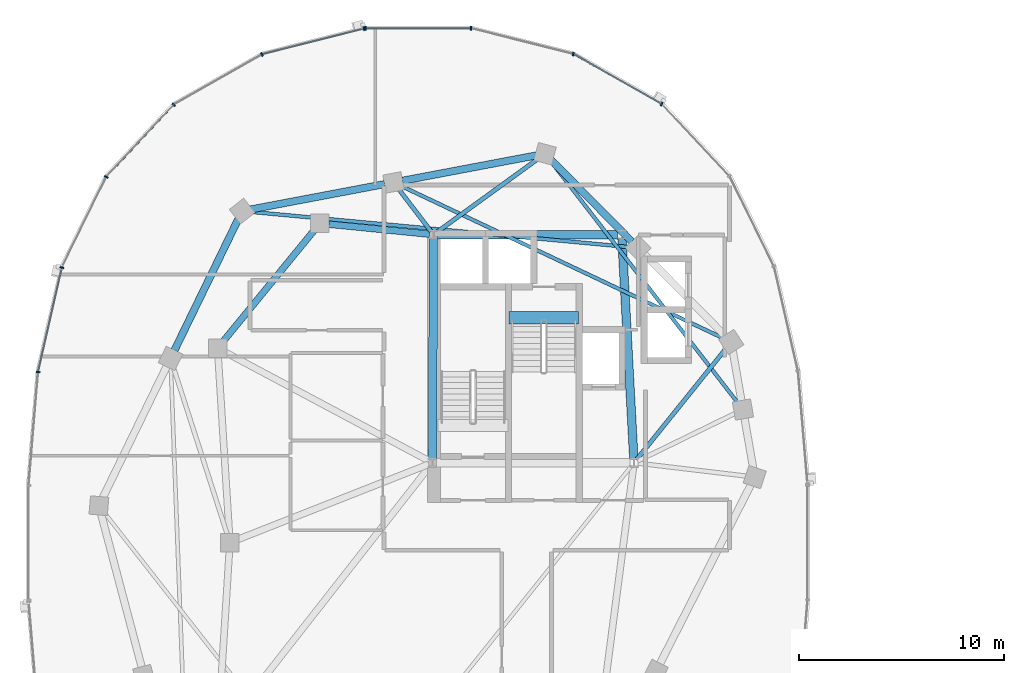
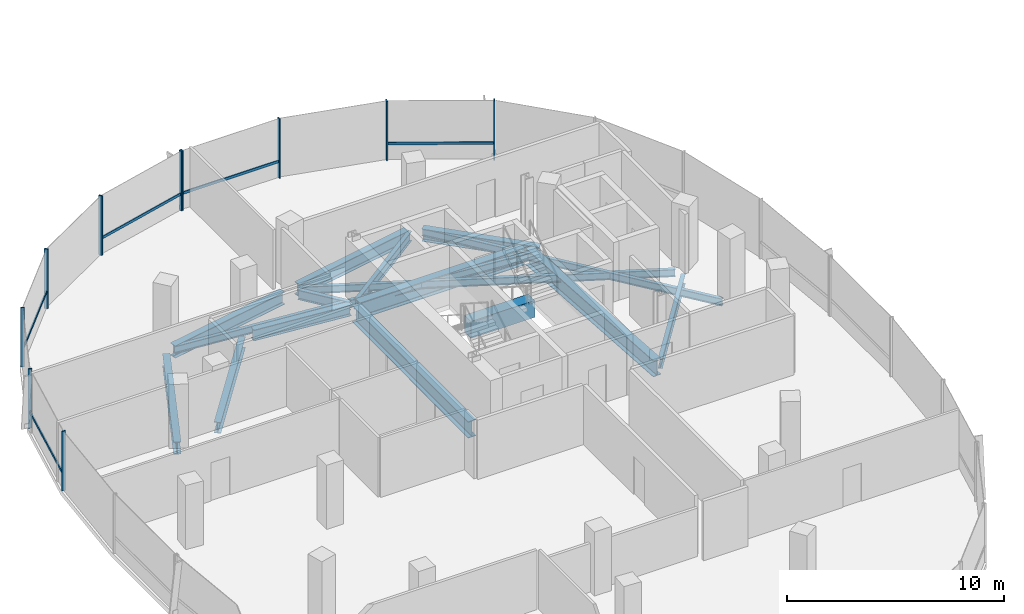
# One storey, part 6 of 25: 16 beams, 15 members, 2 elements without a shape of their own.
"""IFC4 building model written with IfcOpenShell, lengths in metres."""

from ifc_helpers import new_model, si_unit, direction, frame, origin, origin_2d, place, context, subcontext, project, spatial, rectangle, i_section, extrude, material, material_profile, profile_set, type_object, element, aggregate, save


model = new_model("IFC4")

# Units and contexts
model_context = context("Model", 3, precision=1e-05, world=origin(), true_north=direction((0.0, 1.0)))
body_context = subcontext(model_context, "Body", "Model", "MODEL_VIEW")
ifc_project = project(units=[si_unit("LENGTHUNIT", "METRE"), si_unit("AREAUNIT", "SQUARE_METRE"), si_unit("VOLUMEUNIT", "CUBIC_METRE"), si_unit("PLANEANGLEUNIT", "RADIAN"), si_unit("MASSUNIT", "GRAM", prefix="KILO"), si_unit("THERMODYNAMICTEMPERATUREUNIT", "KELVIN"), si_unit("POWERUNIT", "WATT")], contexts=[model_context])

# Site, building, storey
site_placement = place(None, origin())
site = spatial("IfcSite", under=ifc_project, at=site_placement, CompositionType="ELEMENT")
building_placement = place(site_placement, origin())
building = spatial("IfcBuilding", under=site, at=building_placement, Name="Cundina Bronze Exchange", CompositionType="ELEMENT")
storey_placement = place(building_placement, frame((0.0, 0.0, 217.0)))
storey = spatial("IfcBuildingStorey", under=building, at=storey_placement, Name="L57", CompositionType="ELEMENT", Elevation=217.0)

# Beams
ifc_material_1 = material(Name="Concrete C60/75", Category="concrete")
ifc_material_profile_1 = material_profile(ifc_material_1, rectangle(XDim=0.60009765625, YDim=0.949951171875, at=origin_2d()), Name="RC600X950", Category="concrete")
ifc_profile_set_1 = profile_set([ifc_material_profile_1], Name="Concrete C60/75")
beam_type_1 = type_object("IfcBeamType", Name="BM-COUP-RC950", PredefinedType="LINTEL", material=ifc_profile_set_1)
beam_1_placement = place(storey_placement, frame((-27.56005859375, 10.97998046875, -0.47509765625), z_axis=(1.0, 0.0, 0.0), x_axis=(0.0, 1.0, 0.0)))
element("IfcBeam", 1, at=beam_1_placement, inside=storey, type_object=beam_type_1, Name="L57 Stair W2 Landing Header Beam", PredefinedType="LINTEL", context=body_context, shape_type="SweptSolid", body=[
    extrude(rectangle(XDim=0.60009765625, YDim=0.949951171875, at=origin_2d()), origin(), (0.0, 0.0, 1.0), 3.400146484375),
])
ifc_material_2 = material(Name="Steel ASTM A992 Grade 50", Category="steel")
ifc_material_profile_2 = material_profile(ifc_material_2, i_section(OverallWidth=0.2119140625, OverallDepth=0.5439453125, WebThickness=0.01318359375, FlangeThickness=0.021240234375, FilletRadius=0.013916015625, at=origin_2d()), Name="W21X83", Category="steel")
ifc_profile_set_2 = profile_set([ifc_material_profile_2], Name="Steel ASTM A992 Grade 50")
beam_type_2 = type_object("IfcBeamType", Name="BM-FLR-W21A", PredefinedType="BEAM", material=ifc_profile_set_2)
beam_2_placement = place(storey_placement, frame((-21.3271484375, 4.052734375, -0.531982421875), z_axis=(0.627128630072, 0.778915708755, 0.0), x_axis=(-0.778915708755, 0.627128630072, 0.0)))
element("IfcBeam", 2, at=beam_2_placement, inside=storey, type_object=beam_type_2, Name="L57 Leg W Radial Floor Beam 02", PredefinedType="BEAM", context=body_context, shape_type="SweptSolid", body=[
    extrude(i_section(OverallWidth=0.2119140625, OverallDepth=0.5439453125, WebThickness=0.01318359375, FlangeThickness=0.021240234375, FilletRadius=0.013916015625, at=origin_2d()), origin(), (0.0, 0.0, 1.0), 6.9404296875),
])
beam_3_placement = place(storey_placement, frame((-31.09130859375, 15.1650390625, -0.531982421875), z_axis=(0.809709858543, 0.586830422677, 0.0), x_axis=(-0.586830422677, 0.809709858543, 0.0)))
element("IfcBeam", 3, at=beam_3_placement, inside=storey, type_object=beam_type_2, Name="L57 Leg W Radial Floor Beam 04", PredefinedType="BEAM", context=body_context, shape_type="SweptSolid", body=[
    extrude(i_section(OverallWidth=0.2119140625, OverallDepth=0.5439453125, WebThickness=0.01318359375, FlangeThickness=0.021240234375, FilletRadius=0.013916015625, at=origin_2d()), origin(), (0.0, 0.0, 1.0), 6.096923828125),
])
beam_4_placement = place(storey_placement, frame((-31.369140625, 15.205810546875, -0.531982421875), z_axis=(-0.60740437517, 0.794392802727, 0.0), x_axis=(-0.794392802727, -0.60740437517, 0.0)))
element("IfcBeam", 4, at=beam_4_placement, inside=storey, type_object=beam_type_2, Name="L57 Leg W Radial Floor Beam 05", PredefinedType="BEAM", context=body_context, shape_type="SweptSolid", body=[
    extrude(i_section(OverallWidth=0.2119140625, OverallDepth=0.5439453125, WebThickness=0.01318359375, FlangeThickness=0.021240234375, FilletRadius=0.013916015625, at=origin_2d()), origin(), (0.0, 0.0, 1.0), 2.575927734375),
])
ifc_material_profile_3 = material_profile(ifc_material_2, i_section(OverallWidth=0.178955078125, OverallDepth=0.409912109375, WebThickness=0.0087890625, FlangeThickness=0.014404296875, FilletRadius=0.010986328125, at=origin_2d()), Name="W16X45", Category="steel")
ifc_profile_set_3 = profile_set([ifc_material_profile_3], Name="Steel ASTM A992 Grade 50")
beam_type_3 = type_object("IfcBeamType", Name="BM-JST-W16", PredefinedType="JOIST", material=ifc_profile_set_3)
beam_5_placement = place(storey_placement, frame((-16.39306640625, 6.846435546875, -0.465087890625), z_axis=(-0.612085793291, 0.790791364174, 0.0), x_axis=(-0.790791364174, -0.612085793291, 0.0)))
element("IfcBeam", 5, at=beam_5_placement, inside=storey, type_object=beam_type_3, Name="L57 Leg W Lobe Floor Joist 01-04", PredefinedType="JOIST", context=body_context, shape_type="SweptSolid", body=[
    extrude(i_section(OverallWidth=0.178955078125, OverallDepth=0.409912109375, WebThickness=0.0087890625, FlangeThickness=0.014404296875, FilletRadius=0.010986328125, at=origin_2d()), origin(), (0.0, 0.0, 1.0), 14.9306640625),
])
beam_6_placement = place(storey_placement, frame((-17.095947265625, 9.9873046875, -0.465087890625), z_axis=(-0.904073747204, 0.427376484632, 0.0), x_axis=(-0.427376484632, -0.904073747204, 0.0)))
element("IfcBeam", 6, at=beam_6_placement, inside=storey, type_object=beam_type_3, Name="L57 Leg W Lobe Floor Joist 02-05", PredefinedType="JOIST", context=body_context, shape_type="SweptSolid", body=[
    extrude(i_section(OverallWidth=0.178955078125, OverallDepth=0.409912109375, WebThickness=0.0087890625, FlangeThickness=0.014404296875, FilletRadius=0.010986328125, at=origin_2d()), origin(), (0.0, 0.0, 1.0), 17.374755859375),
])
beam_7_placement = place(storey_placement, frame((-21.68603515625, 14.440673828125, -0.465087890625), z_axis=(-0.9957017803, 0.092617302415, 0.0), x_axis=(-0.092617302415, -0.9957017803, 0.0)))
element("IfcBeam", 7, at=beam_7_placement, inside=storey, type_object=beam_type_3, Name="L57 Leg W Lobe Floor Joist 03-06", PredefinedType="JOIST", context=body_context, shape_type="SweptSolid", body=[
    extrude(i_section(OverallWidth=0.178955078125, OverallDepth=0.409912109375, WebThickness=0.0087890625, FlangeThickness=0.014404296875, FilletRadius=0.010986328125, at=origin_2d()), origin(), (0.0, 0.0, 1.0), 18.5576171875),
])
ifc_material_profile_4 = material_profile(ifc_material_2, i_section(OverallWidth=0.324951171875, OverallDepth=0.615966796875, WebThickness=0.013916015625, FlangeThickness=0.021484375, FilletRadius=0.01611328125, at=origin_2d()), Name="W24X117", Category="steel")
ifc_profile_set_4 = profile_set([ifc_material_profile_4], Name="Steel ASTM A992 Grade 50")
beam_type_4 = type_object("IfcBeamType", Name="BM-RING-W24", PredefinedType="USERDEFINED", material=ifc_profile_set_4)
beam_8_placement = place(storey_placement, frame((-31.445068359375, 15.0693359375, -0.568115234375), z_axis=(-0.995123854478, 0.09863323096, 0.0), x_axis=(-0.09863323096, -0.995123854478, 0.0)))
element("IfcBeam", 8, at=beam_8_placement, inside=storey, type_object=beam_type_4, Name="L57 W Inner Structural Ring Girder 01", ObjectType="GIRDER", PredefinedType="USERDEFINED", context=body_context, shape_type="SweptSolid", body=[
    extrude(i_section(OverallWidth=0.324951171875, OverallDepth=0.615966796875, WebThickness=0.013916015625, FlangeThickness=0.021484375, FilletRadius=0.01611328125, at=origin_2d()), origin(), (0.0, 0.0, 1.0), 4.943115234375),
])
beam_9_placement = place(storey_placement, frame((-37.07763671875, 15.26123046875, -0.568115234375), z_axis=(-0.633912590175, -0.77340469873, 0.0), x_axis=(0.77340469873, -0.633912590175, 0.0)))
element("IfcBeam", 9, at=beam_9_placement, inside=storey, type_object=beam_type_4, Name="L57 W Inner Structural Ring Girder 02", ObjectType="GIRDER", PredefinedType="USERDEFINED", context=body_context, shape_type="SweptSolid", body=[
    extrude(i_section(OverallWidth=0.324951171875, OverallDepth=0.615966796875, WebThickness=0.013916015625, FlangeThickness=0.021484375, FilletRadius=0.01611328125, at=origin_2d()), origin(), (0.0, 0.0, 1.0), 7.01123046875),
])
ifc_material_profile_5 = material_profile(ifc_material_2, i_section(OverallWidth=0.35498046875, OverallDepth=0.695068359375, WebThickness=0.015380859375, FlangeThickness=0.02490234375, FilletRadius=0.01806640625, at=origin_2d()), Name="W27X146", Category="steel")
ifc_profile_set_5 = profile_set([ifc_material_profile_5], Name="Steel ASTM A992 Grade 50")
beam_type_5 = type_object("IfcBeamType", Name="BM-RING-W27", PredefinedType="USERDEFINED", material=ifc_profile_set_5)
beam_10_placement = place(storey_placement, frame((-21.55810546875, 14.71142578125, -0.607421875), z_axis=(-0.703211928763, 0.710980297368, 0.0), x_axis=(-0.710980297368, -0.703211928763, 0.0)))
element("IfcBeam", 10, at=beam_10_placement, inside=storey, type_object=beam_type_5, Name="L57 W Perimeter Ring Girder 03", ObjectType="GIRDER", PredefinedType="USERDEFINED", context=body_context, shape_type="SweptSolid", body=[
    extrude(i_section(OverallWidth=0.35498046875, OverallDepth=0.695068359375, WebThickness=0.015380859375, FlangeThickness=0.02490234375, FilletRadius=0.01806640625, at=origin_2d()), origin(), (0.0, 0.0, 1.0), 5.593994140625),
])
beam_11_placement = place(storey_placement, frame((-26.23046875, 18.918701171875, -0.607421875), z_axis=(-0.982565174657, -0.185918470175, 0.0), x_axis=(0.185918470175, -0.982565174657, 0.0)))
element("IfcBeam", 11, at=beam_11_placement, inside=storey, type_object=beam_type_5, Name="L57 W Perimeter Ring Girder 04", ObjectType="GIRDER", PredefinedType="USERDEFINED", context=body_context, shape_type="SweptSolid", body=[
    extrude(i_section(OverallWidth=0.35498046875, OverallDepth=0.695068359375, WebThickness=0.015380859375, FlangeThickness=0.02490234375, FilletRadius=0.01806640625, at=origin_2d()), origin(), (0.0, 0.0, 1.0), 6.655029296875),
])
beam_12_placement = place(storey_placement, frame((-33.63037109375, 17.5185546875, -0.607421875), z_axis=(-0.982573143022, -0.185876353022, 0.0), x_axis=(0.185876353022, -0.982573143022, 0.0)))
element("IfcBeam", 12, at=beam_12_placement, inside=storey, type_object=beam_type_5, Name="L57 W Perimeter Ring Girder 05", ObjectType="GIRDER", PredefinedType="USERDEFINED", context=body_context, shape_type="SweptSolid", body=[
    extrude(i_section(OverallWidth=0.35498046875, OverallDepth=0.695068359375, WebThickness=0.015380859375, FlangeThickness=0.02490234375, FilletRadius=0.01806640625, at=origin_2d()), origin(), (0.0, 0.0, 1.0), 6.6552734375),
])
beam_13_placement = place(storey_placement, frame((-40.79150390625, 15.80615234375, -0.607421875), z_axis=(-0.437173087764, -0.89937739094, 0.0), x_axis=(0.89937739094, -0.437173087764, 0.0)))
element("IfcBeam", 13, at=beam_13_placement, inside=storey, type_object=beam_type_5, Name="L57 W Perimeter Ring Girder 06", ObjectType="GIRDER", PredefinedType="USERDEFINED", context=body_context, shape_type="SweptSolid", body=[
    extrude(i_section(OverallWidth=0.35498046875, OverallDepth=0.695068359375, WebThickness=0.015380859375, FlangeThickness=0.02490234375, FilletRadius=0.01806640625, at=origin_2d()), origin(), (0.0, 0.0, 1.0), 7.1298828125),
])
ifc_material_profile_6 = material_profile(ifc_material_2, i_section(OverallWidth=0.41796875, OverallDepth=0.927001953125, WebThickness=0.019287109375, FlangeThickness=0.031982421875, FilletRadius=0.02392578125, at=origin_2d()), Name="W36X231", Category="steel")
ifc_profile_set_6 = profile_set([ifc_material_profile_6], Name="Steel ASTM A992 Grade 50")
beam_type_6 = type_object("IfcBeamType", Name="BM-WRN-W36B", PredefinedType="USERDEFINED", material=ifc_profile_set_6)
beam_14_placement = place(storey_placement, frame((-21.46044921875, 4.095703125, -0.723388671875), z_axis=(-0.053749317644, 0.998554460634, 0.0), x_axis=(-0.998554460634, -0.053749317644, 0.0)))
element("IfcBeam", 14, at=beam_14_placement, inside=storey, type_object=beam_type_6, Name="L57 W Core Perimeter Tie Girder 2", ObjectType="GIRDER", PredefinedType="USERDEFINED", context=body_context, shape_type="SweptSolid", body=[
    extrude(i_section(OverallWidth=0.41796875, OverallDepth=0.927001953125, WebThickness=0.019287109375, FlangeThickness=0.031982421875, FilletRadius=0.02392578125, at=origin_2d()), origin(), (0.0, 0.0, 1.0), 10.774169921875),
])
beam_15_placement = place(storey_placement, frame((-22.24609375, 15.050048828125, -0.723388671875), z_axis=(-1.0, 0.0, 0.0), x_axis=(0.0, -1.0, 0.0)))
element("IfcBeam", 15, at=beam_15_placement, inside=storey, type_object=beam_type_6, Name="L57 W Core Perimeter Tie Girder 3", ObjectType="GIRDER", PredefinedType="USERDEFINED", context=body_context, shape_type="SweptSolid", body=[
    extrude(i_section(OverallWidth=0.41796875, OverallDepth=0.927001953125, WebThickness=0.019287109375, FlangeThickness=0.031982421875, FilletRadius=0.02392578125, at=origin_2d()), origin(), (0.0, 0.0, 1.0), 8.807861328125),
])
beam_16_placement = place(storey_placement, frame((-31.2509765625, 14.85400390625, -0.723388671875), z_axis=(-0.004470623654, -0.999990006712, 0.0), x_axis=(0.999990006712, -0.004470623654, 0.0)))
element("IfcBeam", 16, at=beam_16_placement, inside=storey, type_object=beam_type_6, Name="L57 W Core Perimeter Tie Girder 4", ObjectType="GIRDER", PredefinedType="USERDEFINED", context=body_context, shape_type="SweptSolid", body=[
    extrude(i_section(OverallWidth=0.41796875, OverallDepth=0.927001953125, WebThickness=0.019287109375, FlangeThickness=0.031982421875, FilletRadius=0.02392578125, at=origin_2d()), origin(), (0.0, 0.0, 1.0), 10.758056640625),
])

# Curtain wall, members
ifc_material_3 = material(Name="Anodised Bronze Aluminium 6063-T6", Category="aluminium")
curtain_wall_type = type_object("IfcCurtainWallType", Name="CWS-UPP-OFF", PredefinedType="NOTDEFINED", material=ifc_material_3)
curtain_wall_1_placement = place(storey_placement, origin())
curtain_wall_1 = element("IfcCurtainWall", 17, at=curtain_wall_1_placement, inside=storey, type_object=curtain_wall_type, Name="L57 CW-05 Curtain Wall Run CWR-L57-W1", PredefinedType="NOTDEFINED")
ifc_material_profile_7 = material_profile(ifc_material_3, rectangle(XDim=0.070068359375, YDim=0.18994140625, at=origin_2d()), Name="AL70X190", Category="aluminium")
ifc_profile_set_7 = profile_set([ifc_material_profile_7], Name="Anodised Bronze Aluminium 6063-T6")
member_type_1 = type_object("IfcMemberType", Name="CWM-MUL-190", PredefinedType="MULLION", material=ifc_profile_set_7)
member_1_placement = place(storey_placement, frame((-20.100341796875, 21.43115234375, 0.0), z_axis=(0.0, 0.0, 1.0), x_axis=(-0.86958112538, 0.493790103568, 0.0)))
member_1 = element("IfcMember", 18, at=member_1_placement, type_object=member_type_1, Name="CW-05 Mullion 5", PredefinedType="MULLION", context=body_context, shape_type="SweptSolid", body=[
    extrude(rectangle(XDim=0.070068359375, YDim=0.18994140625, at=origin_2d()), origin(), (0.0, 0.0, 1.0), 3.340087890625),
])
member_2_placement = place(storey_placement, frame((-24.422607421875, 23.87548828125, 0.0), z_axis=(0.0, 0.0, 1.0), x_axis=(-0.969744325821, 0.244122802168, 0.0)))
member_2 = element("IfcMember", 19, at=member_2_placement, type_object=member_type_1, Name="CW-05 Mullion 6", PredefinedType="MULLION", context=body_context, shape_type="SweptSolid", body=[
    extrude(rectangle(XDim=0.070068359375, YDim=0.18994140625, at=origin_2d()), origin(), (0.0, 0.0, 1.0), 3.340087890625),
])
member_3_placement = place(storey_placement, frame((-29.419921875, 25.125, 0.0), z_axis=(0.0, 0.0, 1.0), x_axis=(-1.0, 0.0, 0.0)))
member_3 = element("IfcMember", 20, at=member_3_placement, type_object=member_type_1, Name="CW-05 Mullion 7", PredefinedType="MULLION", context=body_context, shape_type="SweptSolid", body=[
    extrude(rectangle(XDim=0.070068359375, YDim=0.18994140625, at=origin_2d()), origin(), (0.0, 0.0, 1.0), 3.340087890625),
])
member_4_placement = place(storey_placement, frame((-34.580078125, 25.125, 0.0), z_axis=(0.0, 0.0, 1.0), x_axis=(-1.0, 0.0, 0.0)))
member_4 = element("IfcMember", 21, at=member_4_placement, type_object=member_type_1, Name="CW-05 End Mullion", PredefinedType="MULLION", context=body_context, shape_type="SweptSolid", body=[
    extrude(rectangle(XDim=0.070068359375, YDim=0.18994140625, at=origin_2d()), origin(), (0.0, 0.0, 1.0), 3.340087890625),
])

curtain_wall_2_placement = place(storey_placement, origin())
curtain_wall_2 = element("IfcCurtainWall", 22, at=curtain_wall_2_placement, inside=storey, type_object=curtain_wall_type, Name="L57 CW-05 Curtain Wall Run CWR-L57-W2", PredefinedType="NOTDEFINED")
member_5_placement = place(storey_placement, frame((-34.6484375, 25.116455078125, 0.0), z_axis=(0.0, 0.0, 1.0), x_axis=(-0.969744325821, -0.244122802168, 0.0)))
member_5 = element("IfcMember", 23, at=member_5_placement, type_object=member_type_1, Name="CW-05 Mullion 1", PredefinedType="MULLION", context=body_context, shape_type="SweptSolid", body=[
    extrude(rectangle(XDim=0.070068359375, YDim=0.18994140625, at=origin_2d()), origin(), (0.0, 0.0, 1.0), 3.340087890625),
])
member_6_placement = place(storey_placement, frame((-39.638916015625, 23.850830078125, 0.0), z_axis=(0.0, 0.0, 1.0), x_axis=(-0.86958112538, -0.493790103568, 0.0)))
member_6 = element("IfcMember", 24, at=member_6_placement, type_object=member_type_1, Name="CW-05 Mullion 2", PredefinedType="MULLION", context=body_context, shape_type="SweptSolid", body=[
    extrude(rectangle(XDim=0.070068359375, YDim=0.18994140625, at=origin_2d()), origin(), (0.0, 0.0, 1.0), 3.340087890625),
])
member_7_placement = place(storey_placement, frame((-43.94873046875, 21.392578125, 0.0), z_axis=(0.0, 0.0, 1.0), x_axis=(-0.684292606175, -0.729207535023, 0.0)))
member_7 = element("IfcMember", 25, at=member_7_placement, type_object=member_type_1, Name="CW-05 Mullion 3", PredefinedType="MULLION", context=body_context, shape_type="SweptSolid", body=[
    extrude(rectangle(XDim=0.070068359375, YDim=0.18994140625, at=origin_2d()), origin(), (0.0, 0.0, 1.0), 3.340087890625),
])
member_8_placement = place(storey_placement, frame((-47.245361328125, 17.866455078125, 0.0), z_axis=(0.0, 0.0, 1.0), x_axis=(-0.440566004113, -0.897720221461, 0.0)))
member_8 = element("IfcMember", 26, at=member_8_placement, type_object=member_type_1, Name="CW-05 Mullion 4", PredefinedType="MULLION", context=body_context, shape_type="SweptSolid", body=[
    extrude(rectangle(XDim=0.070068359375, YDim=0.18994140625, at=origin_2d()), origin(), (0.0, 0.0, 1.0), 3.340087890625),
])
member_9_placement = place(storey_placement, frame((-49.40771484375, 13.440673828125, 0.0), z_axis=(0.0, 0.0, 1.0), x_axis=(-0.223250116011, -0.974761194191, 0.0)))
member_9 = element("IfcMember", 27, at=member_9_placement, type_object=member_type_1, Name="CW-05 Mullion 5", PredefinedType="MULLION", context=body_context, shape_type="SweptSolid", body=[
    extrude(rectangle(XDim=0.070068359375, YDim=0.18994140625, at=origin_2d()), origin(), (0.0, 0.0, 1.0), 3.340087890625),
])
member_10_placement = place(storey_placement, frame((-50.572509765625, 8.33056640625, 0.0), z_axis=(0.0, 0.0, 1.0), x_axis=(-0.083677843332, -0.99649285925, 0.0)))
member_10 = element("IfcMember", 28, at=member_10_placement, type_object=member_type_1, Name="CW-05 Mullion 6", PredefinedType="MULLION", context=body_context, shape_type="SweptSolid", body=[
    extrude(rectangle(XDim=0.070068359375, YDim=0.18994140625, at=origin_2d()), origin(), (0.0, 0.0, 1.0), 3.340087890625),
])

# Member
ifc_material_profile_8 = material_profile(ifc_material_3, rectangle(XDim=0.06494140625, YDim=0.14990234375, at=origin_2d()), Name="AL65X150", Category="aluminium")
ifc_profile_set_8 = profile_set([ifc_material_profile_8], Name="Anodised Bronze Aluminium 6063-T6")
member_type_2 = type_object("IfcMemberType", Name="CWM-TRN-150", PredefinedType="USERDEFINED", material=ifc_profile_set_8)
member_11_placement = place(storey_placement, frame((-20.1337890625, 21.4501953125, 0.919921875), z_axis=(-0.869573748083, 0.493803095013, 0.0), x_axis=(-0.493803095013, -0.869573748083, 0.0)))
member_11 = element("IfcMember", 29, at=member_11_placement, type_object=member_type_2, Name="CW-05 Spandrel Transom 5", ObjectType="TRANSOM", PredefinedType="USERDEFINED", context=body_context, shape_type="SweptSolid", body=[
    extrude(rectangle(XDim=0.06494140625, YDim=0.14990234375, at=origin_2d()), origin(), (0.0, 0.0, 1.0), 4.900146484375),
])

member_12_placement = place(storey_placement, frame((-29.45849609375, 25.125, 0.919921875), z_axis=(-1.0, 0.0, 0.0), x_axis=(0.0, -1.0, 0.0)))
member_12 = element("IfcMember", 30, at=member_12_placement, type_object=member_type_2, Name="CW-05 Spandrel Transom 7", ObjectType="TRANSOM", PredefinedType="USERDEFINED", context=body_context, shape_type="SweptSolid", body=[
    extrude(rectangle(XDim=0.06494140625, YDim=0.14990234375, at=origin_2d()), origin(), (0.0, 0.0, 1.0), 5.0830078125),
])

aggregate(curtain_wall_1, [member_1, member_11, member_2, member_3, member_4, member_12])

member_13_placement = place(storey_placement, frame((-34.685791015625, 25.107177734375, 0.919921875), z_axis=(-0.969725738797, -0.244196624699, 0.0), x_axis=(0.244196624699, -0.969725738797, 0.0)))
member_13 = element("IfcMember", 31, at=member_13_placement, type_object=member_type_2, Name="CW-05 Spandrel Transom 1", ObjectType="TRANSOM", PredefinedType="USERDEFINED", context=body_context, shape_type="SweptSolid", body=[
    extrude(rectangle(XDim=0.06494140625, YDim=0.14990234375, at=origin_2d()), origin(), (0.0, 0.0, 1.0), 5.082763671875),
])

member_14_placement = place(storey_placement, frame((-43.97509765625, 21.364501953125, 0.919921875), z_axis=(-0.684336416554, -0.729166420633, 0.0), x_axis=(0.729166420633, -0.684336416554, 0.0)))
member_14 = element("IfcMember", 32, at=member_14_placement, type_object=member_type_2, Name="CW-05 Spandrel Transom 3", ObjectType="TRANSOM", PredefinedType="USERDEFINED", context=body_context, shape_type="SweptSolid", body=[
    extrude(rectangle(XDim=0.06494140625, YDim=0.14990234375, at=origin_2d()), origin(), (0.0, 0.0, 1.0), 4.76513671875),
])

member_15_placement = place(storey_placement, frame((-49.41650390625, 13.403076171875, 0.919921875), z_axis=(-0.22328343579, -0.974753562344, 0.0), x_axis=(0.974753562344, -0.22328343579, 0.0)))
member_15 = element("IfcMember", 33, at=member_15_placement, type_object=member_type_2, Name="CW-05 Spandrel Transom 5", ObjectType="TRANSOM", PredefinedType="USERDEFINED", context=body_context, shape_type="SweptSolid", body=[
    extrude(rectangle(XDim=0.06494140625, YDim=0.14990234375, at=origin_2d()), origin(), (0.0, 0.0, 1.0), 5.159912109375),
])

aggregate(curtain_wall_2, [member_5, member_13, member_6, member_7, member_14, member_8, member_9, member_15, member_10])

save(model, "model.ifc")
